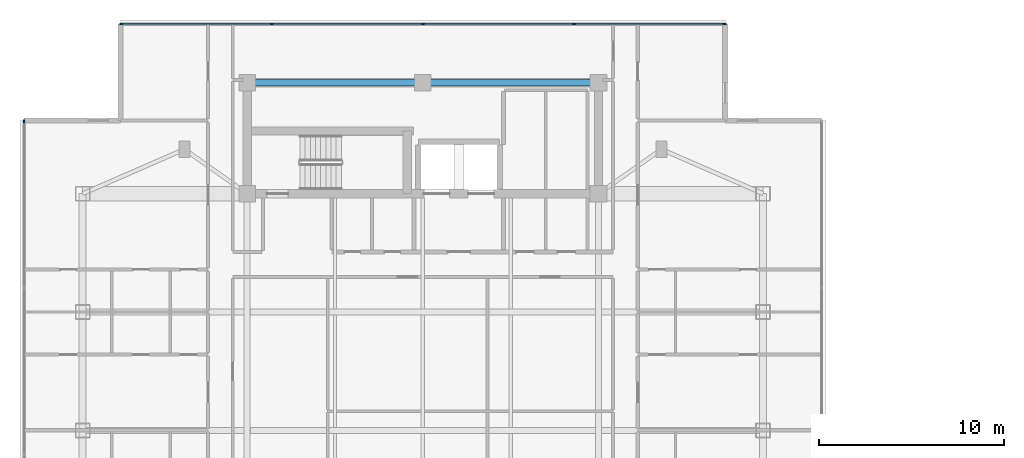
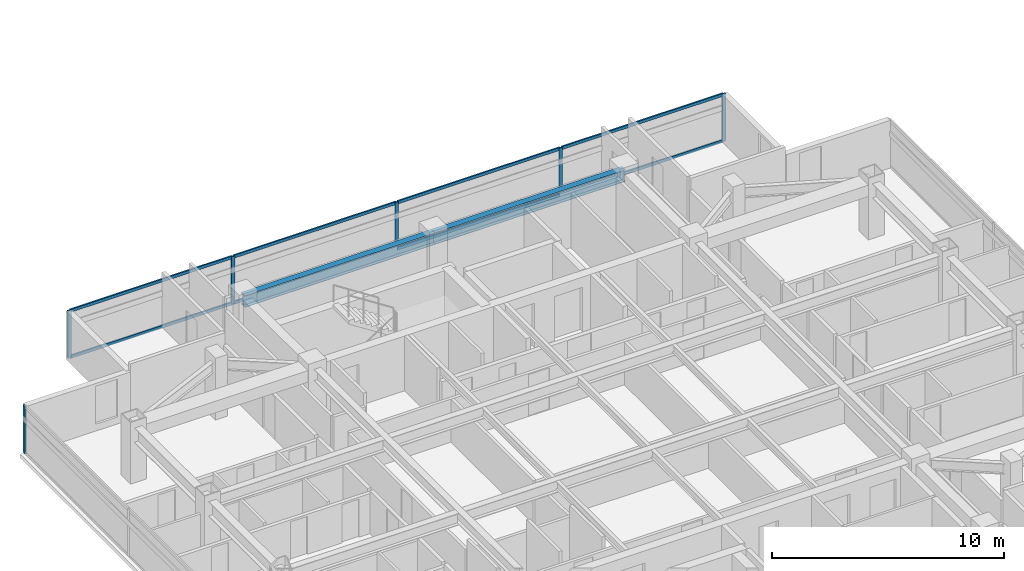
# One storey, part 6 of 17: 14 members, 2 beams, 2 elements without a shape of their own.
"""IFC4 building model written with IfcOpenShell, lengths in metres."""

from ifc_helpers import new_model, si_unit, direction, frame, origin, origin_2d, place, context, subcontext, project, spatial, rectangle, i_section, extrude, material, material_profile, profile_set, type_object, element, aggregate, save


model = new_model("IFC4")

# Units and contexts
model_context = context("Model", 3, precision=1e-05, world=origin(), true_north=direction((0.0, 1.0)))
body_context = subcontext(model_context, "Body", "Model", "MODEL_VIEW")
ifc_project = project(units=[si_unit("LENGTHUNIT", "METRE"), si_unit("AREAUNIT", "SQUARE_METRE"), si_unit("VOLUMEUNIT", "CUBIC_METRE"), si_unit("PLANEANGLEUNIT", "RADIAN"), si_unit("MASSUNIT", "GRAM", prefix="KILO")], contexts=[model_context])

# Site, building, storey
site_placement = place(None, origin())
site = spatial("IfcSite", under=ifc_project, at=site_placement, CompositionType="ELEMENT")
building_placement = place(site_placement, origin())
building = spatial("IfcBuilding", under=site, at=building_placement, Name="Mirazonda Arch Towers", CompositionType="ELEMENT")
storey_placement = place(building_placement, frame((0.0, 0.0, 209.64990234375)))
storey = spatial("IfcBuildingStorey", under=building, at=storey_placement, Name="L60", CompositionType="ELEMENT", Elevation=209.64990234375)

# Beams
ifc_material_1 = material(Name="Steel ASTM A992 Grade 50", Category="steel")
ifc_material_profile_1 = material_profile(ifc_material_1, i_section(OverallWidth=0.324951171875, OverallDepth=0.615966796875, WebThickness=0.013916015625, FlangeThickness=0.021484375, at=origin_2d()), Name="W24X117")
ifc_profile_set_1 = profile_set([ifc_material_profile_1], Name="Steel ASTM A992 Grade 50")
beam_type = type_object("IfcBeamType", Name="BM-INT-W24X117", PredefinedType="BEAM", material=ifc_profile_set_1)
for number, where, z_axis, x_axis, name in (
    (1, (11.0, 43.60009765625, 2.58203125), (1.0, 0.0, 0.0), (0.0, 1.0, 0.0), "L60 Floor Beam BMT-T1-L60-CN1"),
    (2, (20.5, 43.60009765625, 2.58203125), (1.0, 0.0, 0.0), (0.0, 1.0, 0.0), "L60 Floor Beam BMT-T1-L60-CN2"),
):
    element("IfcBeam", number, at=place(storey_placement, frame(where, z_axis=z_axis, x_axis=x_axis)), inside=storey, type_object=beam_type, Name=name, PredefinedType="BEAM", context=body_context, shape_type="SweptSolid", body=[
        extrude(i_section(OverallWidth=0.324951171875, OverallDepth=0.615966796875, WebThickness=0.013916015625, FlangeThickness=0.021484375, at=origin_2d()), origin(), (0.0, 0.0, 1.0), 9.5),
    ])

# Curtain wall, members
ifc_material_2 = material(Name="Anodised Aluminium and Low-E Glass", Category="aluminium")
curtain_wall_type = type_object("IfcCurtainWallType", Name="CW-RES-UNIT", PredefinedType="NOTDEFINED", material=ifc_material_2)
curtain_wall_1_placement = place(storey_placement, origin())
curtain_wall_1 = element("IfcCurtainWall", 3, at=curtain_wall_1_placement, inside=storey, type_object=curtain_wall_type, Name="L60 T1 N Facade CW-L60-T1-N", PredefinedType="NOTDEFINED")
ifc_material_3 = material(Name="Anodised Aluminium Alloy", Category="aluminium")
ifc_material_profile_2 = material_profile(ifc_material_3, rectangle(XDim=0.074951171875, YDim=0.175048828125, at=origin_2d()), Name="ALU-MULL-75x175")
ifc_profile_set_2 = profile_set([ifc_material_profile_2], Name="Anodised Aluminium Alloy")
member_type_1 = type_object("IfcMemberType", Name="MULL-CW-RES-UNIT", PredefinedType="MULLION", material=ifc_profile_set_2)
member_1_placement = place(storey_placement, frame((4.1826171875, 46.77392578125, 0.0), z_axis=(0.0, 0.0, 1.0), x_axis=(0.0, 1.0, 0.0)))
member_1 = element("IfcMember", 4, at=member_1_placement, type_object=member_type_1, Name="CW-104 mullion 1", PredefinedType="MULLION", context=body_context, shape_type="SweptSolid", body=[
    extrude(rectangle(XDim=0.074951171875, YDim=0.175048828125, at=origin_2d()), origin(), (0.0, 0.0, 1.0), 2.510009765625),
])
member_2_placement = place(storey_placement, frame((12.322509765625, 46.77392578125, 0.0), z_axis=(0.0, 0.0, 1.0), x_axis=(0.0, 1.0, 0.0)))
member_2 = element("IfcMember", 5, at=member_2_placement, type_object=member_type_1, Name="CW-104 mullion 2", PredefinedType="MULLION", context=body_context, shape_type="SweptSolid", body=[
    extrude(rectangle(XDim=0.074951171875, YDim=0.175048828125, at=origin_2d()), origin(), (0.0, 0.0, 1.0), 2.510009765625),
])
member_3_placement = place(storey_placement, frame((20.5, 46.77392578125, 0.0), z_axis=(0.0, 0.0, 1.0), x_axis=(0.0, 1.0, 0.0)))
member_3 = element("IfcMember", 6, at=member_3_placement, type_object=member_type_1, Name="CW-104 mullion 3", PredefinedType="MULLION", context=body_context, shape_type="SweptSolid", body=[
    extrude(rectangle(XDim=0.074951171875, YDim=0.175048828125, at=origin_2d()), origin(), (0.0, 0.0, 1.0), 2.510009765625),
])
member_4_placement = place(storey_placement, frame((28.677490234375, 46.77392578125, 0.0), z_axis=(0.0, 0.0, 1.0), x_axis=(0.0, 1.0, 0.0)))
member_4 = element("IfcMember", 7, at=member_4_placement, type_object=member_type_1, Name="CW-104 mullion 4", PredefinedType="MULLION", context=body_context, shape_type="SweptSolid", body=[
    extrude(rectangle(XDim=0.074951171875, YDim=0.175048828125, at=origin_2d()), origin(), (0.0, 0.0, 1.0), 2.510009765625),
])
member_5_placement = place(storey_placement, frame((36.8173828125, 46.77392578125, 0.0), z_axis=(0.0, 0.0, 1.0), x_axis=(0.0, 1.0, 0.0)))
member_5 = element("IfcMember", 8, at=member_5_placement, type_object=member_type_1, Name="CW-104 mullion 5", PredefinedType="MULLION", context=body_context, shape_type="SweptSolid", body=[
    extrude(rectangle(XDim=0.074951171875, YDim=0.175048828125, at=origin_2d()), origin(), (0.0, 0.0, 1.0), 2.510009765625),
])

# Curtain wall, member
curtain_wall_2_placement = place(storey_placement, origin())
curtain_wall_2 = element("IfcCurtainWall", 9, at=curtain_wall_2_placement, inside=storey, type_object=curtain_wall_type, Name="L60 T1 W Facade CW-L60-T1-W", PredefinedType="NOTDEFINED")
member_6_placement = place(storey_placement, frame((-1.070068359375, 41.521484375, 0.0), z_axis=(0.0, 0.0, 1.0), x_axis=(1.0, 0.0, 0.0)))
member_6 = element("IfcMember", 10, at=member_6_placement, type_object=member_type_1, Name="CW-104 mullion 1", PredefinedType="MULLION", context=body_context, shape_type="SweptSolid", body=[
    extrude(rectangle(XDim=0.074951171875, YDim=0.175048828125, at=origin_2d()), origin(), (0.0, 0.0, 1.0), 2.510009765625),
])
aggregate(curtain_wall_2, [member_6])

# Member
ifc_material_profile_3 = material_profile(ifc_material_3, rectangle(XDim=0.074951171875, YDim=0.155029296875, at=origin_2d()), Name="ALU-TRAN-75x155")
ifc_profile_set_3 = profile_set([ifc_material_profile_3], Name="Anodised Aluminium Alloy")
member_type_2 = type_object("IfcMemberType", Name="TRAN-CW-RES-UNIT", PredefinedType="USERDEFINED", material=ifc_profile_set_3)
member_7_placement = place(storey_placement, frame((4.219970703125, 46.77392578125, 0.03759765625), z_axis=(1.0, 0.0, 0.0), x_axis=(0.0, 1.0, 0.0)))
member_7 = element("IfcMember", 11, at=member_7_placement, type_object=member_type_2, Name="CW-104 transom 1.1", ObjectType="TRANSOM", PredefinedType="USERDEFINED", context=body_context, shape_type="SweptSolid", body=[
    extrude(rectangle(XDim=0.074951171875, YDim=0.155029296875, at=origin_2d()), origin(), (0.0, 0.0, 1.0), 8.06494140625),
])

member_8_placement = place(storey_placement, frame((4.219970703125, 46.77392578125, 2.47265625), z_axis=(1.0, 0.0, 0.0), x_axis=(0.0, 1.0, 0.0)))
member_8 = element("IfcMember", 12, at=member_8_placement, type_object=member_type_2, Name="CW-104 transom 1.2", ObjectType="TRANSOM", PredefinedType="USERDEFINED", context=body_context, shape_type="SweptSolid", body=[
    extrude(rectangle(XDim=0.074951171875, YDim=0.155029296875, at=origin_2d()), origin(), (0.0, 0.0, 1.0), 8.06494140625),
])

member_9_placement = place(storey_placement, frame((12.360107421875, 46.77392578125, 0.03759765625), z_axis=(1.0, 0.0, 0.0), x_axis=(0.0, 1.0, 0.0)))
member_9 = element("IfcMember", 13, at=member_9_placement, type_object=member_type_2, Name="CW-104 transom 2.1", ObjectType="TRANSOM", PredefinedType="USERDEFINED", context=body_context, shape_type="SweptSolid", body=[
    extrude(rectangle(XDim=0.074951171875, YDim=0.155029296875, at=origin_2d()), origin(), (0.0, 0.0, 1.0), 8.102294921875),
])

member_10_placement = place(storey_placement, frame((12.360107421875, 46.77392578125, 2.47265625), z_axis=(1.0, 0.0, 0.0), x_axis=(0.0, 1.0, 0.0)))
member_10 = element("IfcMember", 14, at=member_10_placement, type_object=member_type_2, Name="CW-104 transom 2.2", ObjectType="TRANSOM", PredefinedType="USERDEFINED", context=body_context, shape_type="SweptSolid", body=[
    extrude(rectangle(XDim=0.074951171875, YDim=0.155029296875, at=origin_2d()), origin(), (0.0, 0.0, 1.0), 8.102294921875),
])

member_11_placement = place(storey_placement, frame((20.53759765625, 46.77392578125, 0.03759765625), z_axis=(1.0, 0.0, 0.0), x_axis=(0.0, 1.0, 0.0)))
member_11 = element("IfcMember", 15, at=member_11_placement, type_object=member_type_2, Name="CW-104 transom 3.1", ObjectType="TRANSOM", PredefinedType="USERDEFINED", context=body_context, shape_type="SweptSolid", body=[
    extrude(rectangle(XDim=0.074951171875, YDim=0.155029296875, at=origin_2d()), origin(), (0.0, 0.0, 1.0), 8.102294921875),
])

member_12_placement = place(storey_placement, frame((20.53759765625, 46.77392578125, 2.47265625), z_axis=(1.0, 0.0, 0.0), x_axis=(0.0, 1.0, 0.0)))
member_12 = element("IfcMember", 16, at=member_12_placement, type_object=member_type_2, Name="CW-104 transom 3.2", ObjectType="TRANSOM", PredefinedType="USERDEFINED", context=body_context, shape_type="SweptSolid", body=[
    extrude(rectangle(XDim=0.074951171875, YDim=0.155029296875, at=origin_2d()), origin(), (0.0, 0.0, 1.0), 8.102294921875),
])

member_13_placement = place(storey_placement, frame((28.715087890625, 46.77392578125, 0.03759765625), z_axis=(1.0, 0.0, 0.0), x_axis=(0.0, 1.0, 0.0)))
member_13 = element("IfcMember", 17, at=member_13_placement, type_object=member_type_2, Name="CW-104 transom 4.1", ObjectType="TRANSOM", PredefinedType="USERDEFINED", context=body_context, shape_type="SweptSolid", body=[
    extrude(rectangle(XDim=0.074951171875, YDim=0.155029296875, at=origin_2d()), origin(), (0.0, 0.0, 1.0), 8.06494140625),
])

member_14_placement = place(storey_placement, frame((28.715087890625, 46.77392578125, 2.47265625), z_axis=(1.0, 0.0, 0.0), x_axis=(0.0, 1.0, 0.0)))
member_14 = element("IfcMember", 18, at=member_14_placement, type_object=member_type_2, Name="CW-104 transom 4.2", ObjectType="TRANSOM", PredefinedType="USERDEFINED", context=body_context, shape_type="SweptSolid", body=[
    extrude(rectangle(XDim=0.074951171875, YDim=0.155029296875, at=origin_2d()), origin(), (0.0, 0.0, 1.0), 8.06494140625),
])

aggregate(curtain_wall_1, [member_1, member_2, member_3, member_4, member_5, member_7, member_8, member_9, member_10, member_11, member_12, member_13, member_14])

save(model, "model.ifc")
